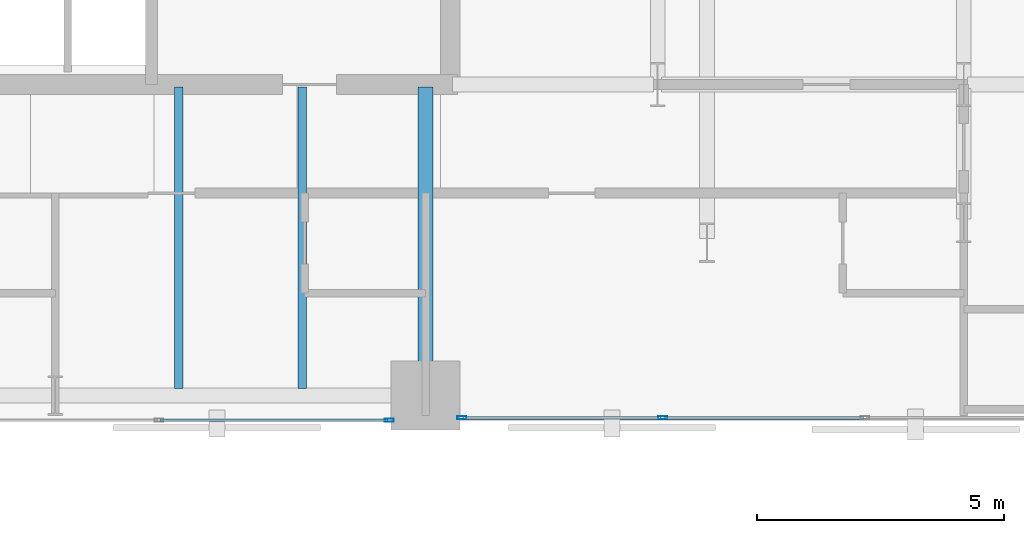
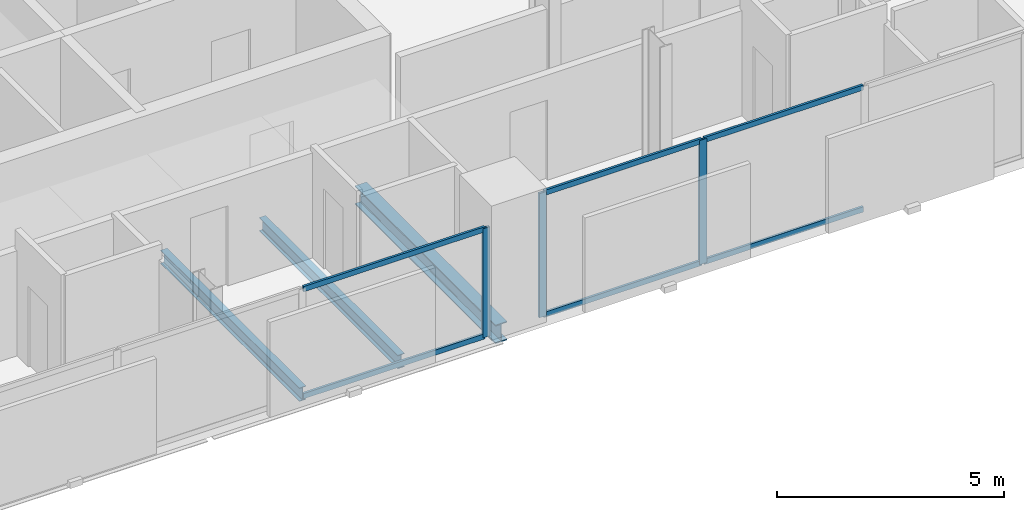
# One storey, part 15 of 33: 9 members, 3 beams, 2 elements without a shape of their own.
"""IFC4 building model written with IfcOpenShell, lengths in metres."""

import ifcopenshell
import ifcopenshell.guid

model = None  # the IFC model being written
_history = None  # IfcOwnerHistory: only IFC2X3 demands one
_inside = {}  # id of a spatial element -> (the spatial element, [elements in it])
_under = {}  # id of a project, library or spatial element -> (it, [spatial elements below it])
_declared = {}  # id of a project -> (the project, [libraries it declares])
_typed = {}  # id of a type object -> (the type object, [elements of that type])
_made_of = {}  # id of a material, layer set ... -> (it, [elements and type objects made of it])


def new_model(schema):
    """Start an empty IFC model of exactly this schema.

    Asked for "IFC4X3", IfcOpenShell would pick the latest addendum, in which some entities
    have other attributes; the version numbers below select the first issue.
    IFC2X3 requires an IfcOwnerHistory on every rooted entity: one is made here for all.
    """
    global model, _history
    if schema == "IFC4X3":
        model = ifcopenshell.file(schema_version=(4, 3, 0, 0))
    else:
        model = ifcopenshell.file(schema=schema)
    _inside.clear()
    _under.clear()
    _declared.clear()
    _typed.clear()
    _made_of.clear()
    _history = None
    if model.schema == "IFC2X3":
        org = make("IfcOrganization", Name="unknown")
        user = make(
            "IfcPersonAndOrganization",
            ThePerson=make("IfcPerson", FamilyName="unknown"),
            TheOrganization=org,
        )
        app = make(
            "IfcApplication",
            ApplicationDeveloper=org,
            Version="unknown",
            ApplicationFullName="unknown",
            ApplicationIdentifier="unknown",
        )
        _history = make(
            "IfcOwnerHistory",
            OwningUser=user,
            OwningApplication=app,
            ChangeAction="ADDED",
            CreationDate=0,
        )
    return model


def make(cls, **values):
    """One entity of the class cls with the attributes given. An attribute that is None is left unset."""
    return model.create_entity(
        cls, **{name: value for name, value in values.items() if value is not None}
    )


def rooted(cls, **values):
    """An entity with a GlobalId (a new one), such as an element, a storey or a relation."""
    return make(cls, GlobalId=ifcopenshell.guid.new(), OwnerHistory=_history, **values)


def si_unit(unit_type, name, prefix=None):
    """IfcSIUnit, for example si_unit("LENGTHUNIT", "METRE", prefix="MILLI")."""
    return make("IfcSIUnit", UnitType=unit_type, Prefix=prefix, Name=name)


def assignment(units):
    """IfcUnitAssignment: the units of a project."""
    return None if units is None else make("IfcUnitAssignment", Units=units)


def point(xyz):
    """IfcCartesianPoint."""
    return None if xyz is None else make("IfcCartesianPoint", Coordinates=xyz)


def direction(xyz):
    """IfcDirection."""
    return None if xyz is None else make("IfcDirection", DirectionRatios=xyz)


def frame(location, z_axis=None, x_axis=None):
    """IfcAxis2Placement3D, a coordinate frame: its origin and axes. An axis left out is left unset."""
    return make(
        "IfcAxis2Placement3D",
        Location=point(location),
        Axis=direction(z_axis),
        RefDirection=direction(x_axis),
    )


def frame_2d(location, x_axis=None):
    """IfcAxis2Placement2D, a coordinate frame in the plane: its origin and x axis."""
    return make(
        "IfcAxis2Placement2D", Location=point(location), RefDirection=direction(x_axis)
    )


def origin():
    """The frame at (0, 0, 0) with its axes left unset."""
    return frame((0.0, 0.0, 0.0))


def origin_2d():
    """The frame at (0, 0) in the plane with its x axis left unset."""
    return frame_2d((0.0, 0.0))


def place(relative_to, where):
    """IfcLocalPlacement: puts the frame where relative to a parent placement (None: the world)."""
    return make(
        "IfcLocalPlacement", PlacementRelTo=relative_to, RelativePlacement=where
    )


def context(
    kind, dimensions, precision=None, world=None, true_north=None, identifier=None
):
    """IfcGeometricRepresentationContext, for example the 3D "Model" context."""
    return make(
        "IfcGeometricRepresentationContext",
        ContextIdentifier=identifier,
        ContextType=kind,
        CoordinateSpaceDimension=dimensions,
        Precision=precision,
        WorldCoordinateSystem=world,
        TrueNorth=true_north,
    )


def subcontext(parent, identifier, kind, view, scale=None):
    """IfcGeometricRepresentationSubContext, for example "Body" below "Model"."""
    return make(
        "IfcGeometricRepresentationSubContext",
        ContextIdentifier=identifier,
        ContextType=kind,
        ParentContext=parent,
        TargetScale=scale,
        TargetView=view,
    )


def project(units=None, contexts=None):
    """IfcProject with its units and contexts."""
    return rooted(
        "IfcProject",
        Name="project",
        RepresentationContexts=contexts,
        UnitsInContext=assignment(units),
    )


def spatial(cls, under=None, at=None, **own):
    """A site, building, storey or space (cls), placed at a placement, below another one or the project."""
    s = rooted(cls, ObjectPlacement=at, **own)
    if under is not None:
        _under.setdefault(under.id(), (under, []))[1].append(s)
    return s


def profile(cls, at=None, kind="AREA", **sizes):
    """A parametric profile (cls). Its sizes go by their IFC names, for example OverallWidth=200.0."""
    return make(cls, ProfileType=kind, Position=at, **sizes)


def hollow_rectangle(**sizes):
    """IfcRectangleHollowProfileDef."""
    return profile("IfcRectangleHollowProfileDef", **sizes)


def i_section(**sizes):
    """IfcIShapeProfileDef."""
    return profile("IfcIShapeProfileDef", **sizes)


def extrude(swept, where, along, depth):
    """IfcExtrudedAreaSolid: the profile swept, set in the frame where, extruded along a direction by depth."""
    return make(
        "IfcExtrudedAreaSolid",
        SweptArea=swept,
        Position=where,
        ExtrudedDirection=direction(along),
        Depth=depth,
    )


def shape(context_of_items, identifier, shape_type, items):
    """IfcShapeRepresentation: the items that make up one representation, for example the "Body"."""
    return make(
        "IfcShapeRepresentation",
        ContextOfItems=context_of_items,
        RepresentationIdentifier=identifier,
        RepresentationType=shape_type,
        Items=items,
    )


def material(Name=None, Category=None):
    """IfcMaterial."""
    return make("IfcMaterial", Name=Name, Category=Category)


def layer(
    of_material, thickness, ventilated=None, Name=None, Category=None, Priority=None
):
    """IfcMaterialLayer: one layer of a wall or slab, of a material (None: an air gap)."""
    return make(
        "IfcMaterialLayer",
        Material=of_material,
        LayerThickness=thickness,
        IsVentilated=ventilated,
        Name=Name,
        Category=Category,
        Priority=Priority,
    )


def layer_set(layers, Name=None):
    """IfcMaterialLayerSet."""
    return make("IfcMaterialLayerSet", MaterialLayers=layers, LayerSetName=Name)


def material_profile(
    of_material, cross_section, Name=None, Category=None, Priority=None
):
    """IfcMaterialProfile: a cross section and its material."""
    return make(
        "IfcMaterialProfile",
        Name=Name,
        Material=of_material,
        Profile=cross_section,
        Priority=Priority,
        Category=Category,
    )


def profile_set(profiles, Name=None, composite=None):
    """IfcMaterialProfileSet."""
    return make(
        "IfcMaterialProfileSet",
        Name=Name,
        MaterialProfiles=profiles,
        CompositeProfile=composite,
    )


def made_of(thing, what):
    """Note that an element or type object is made of a material, layer set ...; save() writes the relation."""
    if what is not None:
        _made_of.setdefault(what.id(), (what, []))[1].append(thing)
    return thing


def type_object(cls, material=None, **own):
    """A type object (cls), such as IfcWallType, which elements share."""
    return made_of(rooted(cls, **own), material)


def element(
    cls,
    number,
    at=None,
    inside=None,
    cuts=None,
    type_object=None,
    material=None,
    context=None,
    identifier="Body",
    shape_type=None,
    held_by="IfcProductDefinitionShape",
    body=None,
    shapes=None,
    **own,
):
    """One element of the class cls, such as IfcWall. Its Tag is "e" and its number.

    at: its placement. inside: the storey or other place that contains it. cuts: it is an
    opening in that element (IfcRelVoidsElement). A single representation is given by context,
    identifier, shape_type and body (its items); several are given by shapes. held_by: the class
    of the entity that holds the representations. save() writes the other relations.
    """
    e = rooted(cls, Tag="e%d" % number, ObjectPlacement=at, **own)
    if body is not None:
        shapes = [shape(context, identifier, shape_type, body)]
    if shapes is not None:
        e.Representation = make(held_by, Representations=shapes)
    if inside is not None:
        _inside.setdefault(inside.id(), (inside, []))[1].append(e)
    if cuts is not None:
        rooted(
            "IfcRelVoidsElement", RelatingBuildingElement=cuts, RelatedOpeningElement=e
        )
    if type_object is not None:
        _typed.setdefault(type_object.id(), (type_object, []))[1].append(e)
    return made_of(e, material)


def aggregate(whole, parts):
    """IfcRelAggregates: a whole, such as a stair, and the parts it consists of."""
    return rooted("IfcRelAggregates", RelatingObject=whole, RelatedObjects=parts)


def save(model, path):
    """Write the relations noted so far, then the file.

    IfcRelAggregates (storeys below a building ...), IfcRelContainedInSpatialStructure (elements
    in a storey), IfcRelDefinesByType, IfcRelAssociatesMaterial and IfcRelDeclares: one each for
    every whole, place, type object, material and project.
    """
    for whole, parts in _under.values():
        aggregate(whole, parts)
    for where, things in _inside.values():
        rooted(
            "IfcRelContainedInSpatialStructure",
            RelatedElements=things,
            RelatingStructure=where,
        )
    for kind, things in _typed.values():
        rooted("IfcRelDefinesByType", RelatedObjects=things, RelatingType=kind)
    for what, things in _made_of.values():
        rooted("IfcRelAssociatesMaterial", RelatedObjects=things, RelatingMaterial=what)
    for by, libraries in _declared.values():
        rooted("IfcRelDeclares", RelatingContext=by, RelatedDefinitions=libraries)
    model.write(path)


model = new_model("IFC4")

# Units and contexts
model_context = context("Model", 3, precision=1e-05, world=origin(), true_north=direction((0.0, 1.0)))
body_context = subcontext(model_context, "Body", "Model", "MODEL_VIEW")
ifc_project = project(units=[si_unit("LENGTHUNIT", "METRE"), si_unit("AREAUNIT", "SQUARE_METRE"), si_unit("VOLUMEUNIT", "CUBIC_METRE"), si_unit("PLANEANGLEUNIT", "RADIAN"), si_unit("MASSUNIT", "GRAM", prefix="KILO")], contexts=[model_context])

# Site, building, storey
site_placement = place(None, origin())
site = spatial("IfcSite", under=ifc_project, at=site_placement, CompositionType="ELEMENT")
building_placement = place(site_placement, origin())
building = spatial("IfcBuilding", under=site, at=building_placement, Name="Catumbela Crestline Tower", CompositionType="ELEMENT")
storey_placement = place(building_placement, frame((0.0, 0.0, 54.6)))
storey = spatial("IfcBuildingStorey", under=building, at=storey_placement, Name="L13", CompositionType="ELEMENT", Elevation=54.6)

# Beams
ifc_material_1 = material(Name="Structural steel S355J2", Category="steel")
ifc_material_profile_1 = material_profile(ifc_material_1, i_section(OverallWidth=0.3, OverallDepth=0.5, WebThickness=0.0145, FlangeThickness=0.028, FilletRadius=0.027, at=origin_2d()), Name="HEB 500")
ifc_profile_set_1 = profile_set([ifc_material_profile_1], Name="Structural steel S355J2")
beam_type_1 = type_object("IfcBeamType", Name="BG-HEB500", PredefinedType="BEAM", material=ifc_profile_set_1)
beam_placement = place(storey_placement, frame((39.5, 24.58, -0.51), z_axis=(0.0, 1.0, 0.0), x_axis=(-1.0, 0.0, 0.0)))
element("IfcBeam", 1, at=beam_placement, inside=storey, type_object=beam_type_1, Name="L13 Beam BM-L13-SNS34", PredefinedType="BEAM", context=body_context, shape_type="SweptSolid", body=[
    extrude(i_section(OverallWidth=0.3, OverallDepth=0.5, WebThickness=0.0145, FlangeThickness=0.028, FilletRadius=0.027, at=origin_2d()), origin(), (0.0, 0.0, 1.0), 6.17),
])
ifc_material_profile_2 = material_profile(ifc_material_1, i_section(OverallWidth=0.17, OverallDepth=0.36, WebThickness=0.008, FlangeThickness=0.0127, FilletRadius=0.018, at=origin_2d()), Name="IPE 360")
ifc_profile_set_2 = profile_set([ifc_material_profile_2], Name="Structural steel S355J2")
beam_type_2 = type_object("IfcBeamType", Name="BJ-IPE360", PredefinedType="JOIST", material=ifc_profile_set_2)
for number, where, z_axis, x_axis, name in (
    (2, (34.5, 24.647, -0.44), (0.0, 1.0, 0.0), (-1.0, 0.0, 0.0), "L13 Joist JS-L13-SP46"),
    (3, (37.0, 24.647, -0.44), (0.0, 1.0, 0.0), (-1.0, 0.0, 0.0), "L13 Joist JS-L13-SP47"),
):
    element("IfcBeam", number, at=place(storey_placement, frame(where, z_axis=z_axis, x_axis=x_axis)), inside=storey, type_object=beam_type_2, Name=name, PredefinedType="JOIST", context=body_context, shape_type="SweptSolid", body=[
        extrude(i_section(OverallWidth=0.17, OverallDepth=0.36, WebThickness=0.008, FlangeThickness=0.0127, FilletRadius=0.018, at=origin_2d()), origin(), (0.0, 0.0, 1.0), 6.103),
    ])

# Curtain wall, member
ifc_material_2 = material(Name="Aluminium alloy AW-6060-T66", Category="aluminium")
ifc_layer = layer(ifc_material_2, 0.18, Name="Aluminium alloy AW-6060-T66")
ifc_layer_set = layer_set([ifc_layer], Name="Aluminium alloy AW-6060-T66")
curtain_wall_type = type_object("IfcCurtainWallType", Name="CWU-Z1", PredefinedType="USERDEFINED", material=ifc_layer_set)
curtain_wall_1_placement = place(storey_placement, origin())
curtain_wall_1 = element("IfcCurtainWall", 4, at=curtain_wall_1_placement, inside=storey, type_object=curtain_wall_type, Name="L13 Unitised Curtain Wall CW-L13-E3S1", ObjectType="UNITISED", PredefinedType="USERDEFINED")
ifc_material_profile_3 = material_profile(ifc_material_2, hollow_rectangle(XDim=0.065, YDim=0.18, WallThickness=0.004, at=origin_2d()), Name="ALU 180x65x4")
ifc_profile_set_3 = profile_set([ifc_material_profile_3], Name="Aluminium alloy AW-6060-T66")
member_type_1 = type_object("IfcMemberType", Name="MUL-180X65", PredefinedType="MULLION", material=ifc_profile_set_3)
member_1_placement = place(storey_placement, frame((38.7675, 24.0, 0.0), z_axis=(0.0, 0.0, 1.0), x_axis=(0.0, 1.0, 0.0)))
member_1 = element("IfcMember", 5, at=member_1_placement, type_object=member_type_1, Name="CWU-Z1 mullion 4", PredefinedType="MULLION", context=body_context, shape_type="SweptSolid", body=[
    extrude(hollow_rectangle(XDim=0.065, YDim=0.18, WallThickness=0.004, at=origin_2d()), origin(), (0.0, 0.0, 1.0), 2.93),
])

# Curtain wall, members
curtain_wall_2_placement = place(storey_placement, origin())
curtain_wall_2 = element("IfcCurtainWall", 6, at=curtain_wall_2_placement, inside=storey, type_object=curtain_wall_type, Name="L13 Unitised Curtain Wall CW-L13-E3S2", ObjectType="UNITISED", PredefinedType="USERDEFINED")
member_2_placement = place(storey_placement, frame((40.2325, 24.05, 0.0), z_axis=(0.0, 0.0, 1.0), x_axis=(0.0, 1.0, 0.0)))
member_2 = element("IfcMember", 7, at=member_2_placement, type_object=member_type_1, Name="CWU-Z1 mullion 1", PredefinedType="MULLION", context=body_context, shape_type="SweptSolid", body=[
    extrude(hollow_rectangle(XDim=0.065, YDim=0.18, WallThickness=0.004, at=origin_2d()), origin(), (0.0, 0.0, 1.0), 3.33),
])
member_3_placement = place(storey_placement, frame((44.3, 24.05, 0.0), z_axis=(0.0, 0.0, 1.0), x_axis=(0.0, 1.0, 0.0)))
member_3 = element("IfcMember", 8, at=member_3_placement, type_object=member_type_1, Name="CWU-Z1 mullion 2", PredefinedType="MULLION", context=body_context, shape_type="SweptSolid", body=[
    extrude(hollow_rectangle(XDim=0.065, YDim=0.18, WallThickness=0.004, at=origin_2d()), origin(), (0.0, 0.0, 1.0), 3.33),
])

# Member
ifc_material_profile_4 = material_profile(ifc_material_2, hollow_rectangle(XDim=0.06, YDim=0.14, WallThickness=0.004, at=origin_2d()), Name="ALU 140x60x4")
ifc_profile_set_4 = profile_set([ifc_material_profile_4], Name="Aluminium alloy AW-6060-T66")
member_type_2 = type_object("IfcMemberType", Name="TRN-140X60", PredefinedType="USERDEFINED", material=ifc_profile_set_4)
member_4_placement = place(storey_placement, frame((34.1325, 24.0, 0.03), z_axis=(1.0, 0.0, 0.0), x_axis=(0.0, 1.0, 0.0)))
member_4 = element("IfcMember", 9, at=member_4_placement, type_object=member_type_2, Name="CWU-Z1 transom 3.1", ObjectType="TRANSOM", PredefinedType="USERDEFINED", context=body_context, shape_type="SweptSolid", body=[
    extrude(hollow_rectangle(XDim=0.06, YDim=0.14, WallThickness=0.004, at=origin_2d()), origin(), (0.0, 0.0, 1.0), 4.6025),
])

member_5_placement = place(storey_placement, frame((34.1325, 24.0, 2.9), z_axis=(1.0, 0.0, 0.0), x_axis=(0.0, 1.0, 0.0)))
member_5 = element("IfcMember", 10, at=member_5_placement, type_object=member_type_2, Name="CWU-Z1 transom 3.2", ObjectType="TRANSOM", PredefinedType="USERDEFINED", context=body_context, shape_type="SweptSolid", body=[
    extrude(hollow_rectangle(XDim=0.06, YDim=0.14, WallThickness=0.004, at=origin_2d()), origin(), (0.0, 0.0, 1.0), 4.6025),
])

aggregate(curtain_wall_1, [member_1, member_4, member_5])

member_6_placement = place(storey_placement, frame((40.265, 24.05, 0.03), z_axis=(1.0, 0.0, 0.0), x_axis=(0.0, 1.0, 0.0)))
member_6 = element("IfcMember", 11, at=member_6_placement, type_object=member_type_2, Name="CWU-Z1 transom 1.1", ObjectType="TRANSOM", PredefinedType="USERDEFINED", context=body_context, shape_type="SweptSolid", body=[
    extrude(hollow_rectangle(XDim=0.06, YDim=0.14, WallThickness=0.004, at=origin_2d()), origin(), (0.0, 0.0, 1.0), 4.0025),
])

member_7_placement = place(storey_placement, frame((40.265, 24.05, 3.3), z_axis=(1.0, 0.0, 0.0), x_axis=(0.0, 1.0, 0.0)))
member_7 = element("IfcMember", 12, at=member_7_placement, type_object=member_type_2, Name="CWU-Z1 transom 1.2", ObjectType="TRANSOM", PredefinedType="USERDEFINED", context=body_context, shape_type="SweptSolid", body=[
    extrude(hollow_rectangle(XDim=0.06, YDim=0.14, WallThickness=0.004, at=origin_2d()), origin(), (0.0, 0.0, 1.0), 4.0025),
])

member_8_placement = place(storey_placement, frame((44.3325, 24.05, 0.03), z_axis=(1.0, 0.0, 0.0), x_axis=(0.0, 1.0, 0.0)))
member_8 = element("IfcMember", 13, at=member_8_placement, type_object=member_type_2, Name="CWU-Z1 transom 2.1", ObjectType="TRANSOM", PredefinedType="USERDEFINED", context=body_context, shape_type="SweptSolid", body=[
    extrude(hollow_rectangle(XDim=0.06, YDim=0.14, WallThickness=0.004, at=origin_2d()), origin(), (0.0, 0.0, 1.0), 4.035),
])

member_9_placement = place(storey_placement, frame((44.3325, 24.05, 3.3), z_axis=(1.0, 0.0, 0.0), x_axis=(0.0, 1.0, 0.0)))
member_9 = element("IfcMember", 14, at=member_9_placement, type_object=member_type_2, Name="CWU-Z1 transom 2.2", ObjectType="TRANSOM", PredefinedType="USERDEFINED", context=body_context, shape_type="SweptSolid", body=[
    extrude(hollow_rectangle(XDim=0.06, YDim=0.14, WallThickness=0.004, at=origin_2d()), origin(), (0.0, 0.0, 1.0), 4.035),
])

aggregate(curtain_wall_2, [member_2, member_3, member_6, member_7, member_8, member_9])

save(model, "model.ifc")
